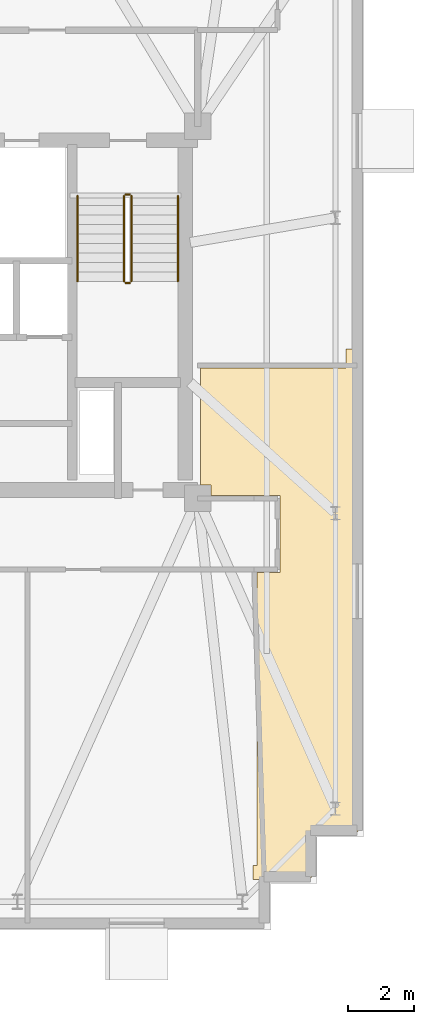
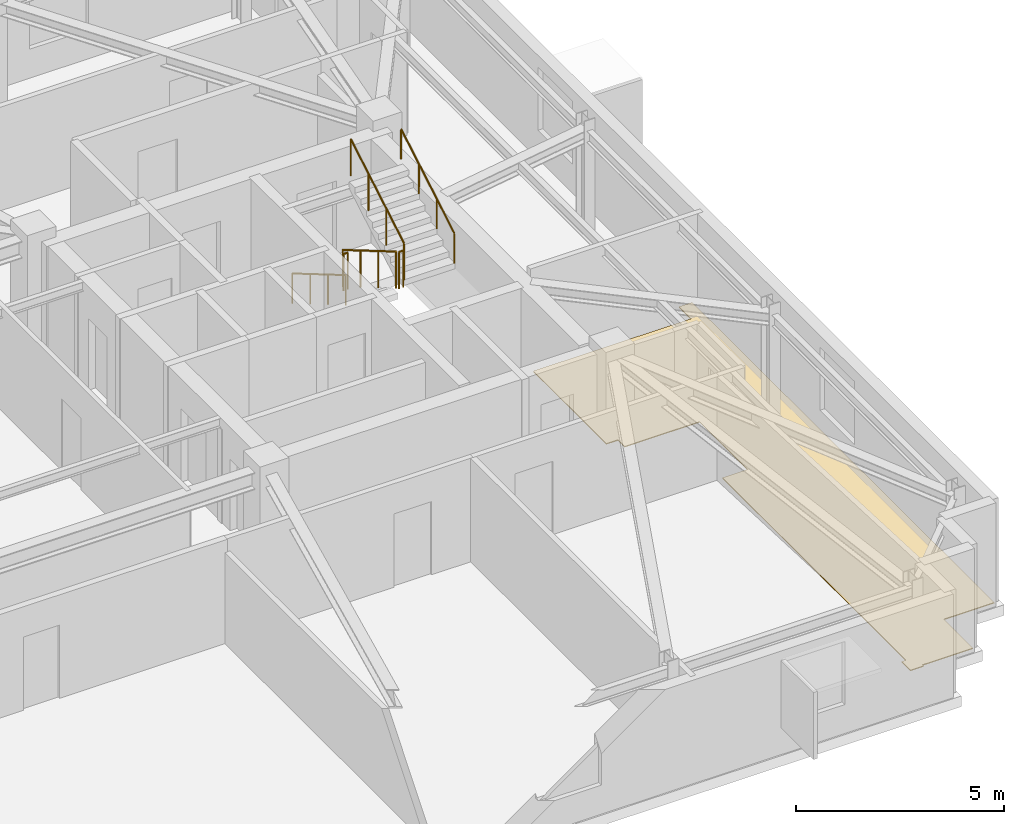
# One storey, part 10 of 10: 6 railings, 1 covering.
"""IFC4 building model written with IfcOpenShell, lengths in metres."""

from ifc_helpers import new_model, si_unit, direction, frame, origin, origin_2d, place, context, subcontext, project, spatial, polyline, circle, outline, extrude, material, layer, layer_set, type_object, element, save


model = new_model("IFC4")

# Units and contexts
model_context = context("Model", 3, precision=1e-05, world=origin(), true_north=direction((0.0, 1.0)))
body_context = subcontext(model_context, "Body", "Model", "MODEL_VIEW")
ifc_project = project(units=[si_unit("LENGTHUNIT", "METRE"), si_unit("AREAUNIT", "SQUARE_METRE"), si_unit("VOLUMEUNIT", "CUBIC_METRE"), si_unit("PLANEANGLEUNIT", "RADIAN"), si_unit("MASSUNIT", "GRAM", prefix="KILO")], contexts=[model_context])

# Site, building, storey
site_placement = place(None, origin())
site = spatial("IfcSite", under=ifc_project, at=site_placement, CompositionType="ELEMENT")
building_placement = place(site_placement, origin())
building = spatial("IfcBuilding", under=site, at=building_placement, Name="Qobustan Lattice House", CompositionType="ELEMENT")
storey_placement = place(building_placement, frame((0.0, 0.0, 235.0)))
storey = spatial("IfcBuildingStorey", under=building, at=storey_placement, Name="L66", CompositionType="ELEMENT", Elevation=235.0)

# Covering
ifc_material_1 = material(Name="Honed Absheron stone terrazzo flooring", Category="masonry")
ifc_layer = layer(ifc_material_1, 0.02490234375)
ifc_layer_set = layer_set([ifc_layer], Name="Honed Absheron stone terrazzo flooring")
covering_type = type_object("IfcCoveringType", Name="COV-TERRAZZO-FLR", PredefinedType="FLOORING", material=ifc_layer_set)
covering_placement = place(storey_placement, origin())
element("IfcCovering", 1, at=covering_placement, inside=storey, type_object=covering_type, Name="L66 Fellows reading room stone terrazzo flooring", PredefinedType="FLOORING", context=body_context, shape_type="SweptSolid", body=[
    extrude(outline(polyline([(22.22998046875, -15.6298828125), (23.6298828125, -15.6298828125), (23.6298828125, -1.10009765625), (23.260009765625, -1.10009765625), (23.260009765625, -1.679931640625), (18.8798828125, -1.679931640625), (18.8798828125, -5.197998046875), (19.201904296875, -5.197998046875), (19.201904296875, -5.52001953125), (21.280029296875, -5.52001953125), (21.280029296875, -7.830078125), (20.580078125, -7.830078125), (20.580078125, -16.659912109375), (20.4599609375, -16.659912109375), (20.4599609375, -17.080078125), (20.830078125, -17.080078125), (20.830078125, -17.030029296875), (22.22998046875, -17.030029296875), (22.22998046875, -15.6298828125)])), origin(), (0.0, 0.0, 1.0), 0.02490234375),
])

# Railings
ifc_material_2 = material(Name="Brushed stainless steel handrail", Category="steel")
railing_type_1 = type_object("IfcRailingType", Name="RAL-HR-920", PredefinedType="HANDRAIL", material=ifc_material_2)
railing_1_placement = place(storey_placement, frame((15.179931640625, 3.5, 0.16748046875)))
element("IfcRailing", 2, at=railing_1_placement, inside=storey, type_object=railing_type_1, Name="L66 ST-E1 stair handrail 1", PredefinedType="HANDRAIL", context=body_context, shape_type="SweptSolid", body=[
    extrude(circle(Radius=0.02392578125, at=origin_2d()), frame((0.0, 0.0, 0.8759765625), z_axis=(0.0, -0.862113467892, 0.50671527358), x_axis=(1.0, 0.0, 0.0)), (0.0, 0.0, 1.0), 2.97509765625),
    extrude(circle(Radius=0.02099609375, at=origin_2d()), origin(), (0.0, 0.0, 1.0), 0.851806640625),
    extrude(circle(Radius=0.02099609375, at=origin_2d()), frame((0.0, -0.85498046875, 0.50244140625)), (0.0, 0.0, 1.0), 0.851806640625),
    extrude(circle(Radius=0.02099609375, at=origin_2d()), frame((0.0, -1.7099609375, 1.005126953125)), (0.0, 0.0, 1.0), 0.851806640625),
    extrude(circle(Radius=0.02099609375, at=origin_2d()), frame((0.0, -2.56494140625, 1.507568359375)), (0.0, 0.0, 1.0), 0.851806640625),
])
railing_2_placement = place(storey_placement, frame((18.199951171875, 0.93505859375, 1.842529296875)))
element("IfcRailing", 3, at=railing_2_placement, inside=storey, type_object=railing_type_1, Name="L66 ST-E1 stair handrail 2", PredefinedType="HANDRAIL", context=body_context, shape_type="SweptSolid", body=[
    extrude(circle(Radius=0.02392578125, at=origin_2d()), frame((0.0, 0.0, 0.8759765625), z_axis=(0.0, 0.862113467892, 0.50671527358), x_axis=(-1.0, 0.0, 0.0)), (0.0, 0.0, 1.0), 2.97509765625),
    extrude(circle(Radius=0.02099609375, at=origin_2d()), origin(), (0.0, 0.0, 1.0), 0.851806640625),
    extrude(circle(Radius=0.02099609375, at=origin_2d()), frame((0.0, 0.85498046875, 0.50244140625)), (0.0, 0.0, 1.0), 0.851806640625),
    extrude(circle(Radius=0.02099609375, at=origin_2d()), frame((0.0, 1.7099609375, 1.005126953125)), (0.0, 0.0, 1.0), 0.851806640625),
    extrude(circle(Radius=0.02099609375, at=origin_2d()), frame((0.0, 2.56494140625, 1.507568359375)), (0.0, 0.0, 1.0), 0.851806640625),
])
ifc_material_3 = material(Name="Painted galvanized steel guardrail", Category="steel")
railing_type_2 = type_object("IfcRailingType", Name="RAL-STG-1150", PredefinedType="GUARDRAIL", material=ifc_material_3)
railing_3_placement = place(storey_placement, frame((16.580078125, 3.5, 0.16748046875)))
element("IfcRailing", 4, at=railing_3_placement, inside=storey, type_object=railing_type_2, Name="L66 ST-E1 stair guard 1", PredefinedType="GUARDRAIL", context=body_context, shape_type="SweptSolid", body=[
    extrude(circle(Radius=0.02392578125, at=origin_2d()), frame((0.0, 0.0, 1.076171875), z_axis=(0.0, -0.862113467892, 0.50671527358), x_axis=(1.0, 0.0, 0.0)), (0.0, 0.0, 1.0), 2.97509765625),
    extrude(circle(Radius=0.02099609375, at=origin_2d()), origin(), (0.0, 0.0, 1.0), 1.052001953125),
    extrude(circle(Radius=0.02099609375, at=origin_2d()), frame((0.0, -0.85498046875, 0.50244140625)), (0.0, 0.0, 1.0), 1.052001953125),
    extrude(circle(Radius=0.02099609375, at=origin_2d()), frame((0.0, -1.7099609375, 1.005126953125)), (0.0, 0.0, 1.0), 1.052001953125),
    extrude(circle(Radius=0.02099609375, at=origin_2d()), frame((0.0, -2.56494140625, 1.507568359375)), (0.0, 0.0, 1.0), 1.052001953125),
])
railing_4_placement = place(storey_placement, frame((16.6298828125, 0.885009765625, 1.675048828125)))
element("IfcRailing", 5, at=railing_4_placement, inside=storey, type_object=railing_type_2, Name="L66 ST-E1 stair guard 2", PredefinedType="GUARDRAIL", context=body_context, shape_type="SweptSolid", body=[
    extrude(circle(Radius=0.02392578125, at=origin_2d()), frame((0.0, 0.0, 1.076171875), z_axis=(1.0, 0.0, 0.0), x_axis=(0.0, 1.0, 0.0)), (0.0, 0.0, 1.0), 0.1201171875),
    extrude(circle(Radius=0.02099609375, at=origin_2d()), origin(), (0.0, 0.0, 1.0), 1.052001953125),
    extrude(circle(Radius=0.02099609375, at=origin_2d()), frame((0.1201171875, 0.0, 0.0)), (0.0, 0.0, 1.0), 1.052001953125),
])
railing_5_placement = place(storey_placement, frame((16.800048828125, 0.93505859375, 1.842529296875)))
element("IfcRailing", 6, at=railing_5_placement, inside=storey, type_object=railing_type_2, Name="L66 ST-E1 stair guard 3", PredefinedType="GUARDRAIL", context=body_context, shape_type="SweptSolid", body=[
    extrude(circle(Radius=0.02392578125, at=origin_2d()), frame((0.0, 0.0, 1.076171875), z_axis=(0.0, 0.862113467892, 0.50671527358), x_axis=(-1.0, 0.0, 0.0)), (0.0, 0.0, 1.0), 2.97509765625),
    extrude(circle(Radius=0.02099609375, at=origin_2d()), origin(), (0.0, 0.0, 1.0), 1.052001953125),
    extrude(circle(Radius=0.02099609375, at=origin_2d()), frame((0.0, 0.85498046875, 0.50244140625)), (0.0, 0.0, 1.0), 1.052001953125),
    extrude(circle(Radius=0.02099609375, at=origin_2d()), frame((0.0, 1.7099609375, 1.005126953125)), (0.0, 0.0, 1.0), 1.052001953125),
    extrude(circle(Radius=0.02099609375, at=origin_2d()), frame((0.0, 2.56494140625, 1.507568359375)), (0.0, 0.0, 1.0), 1.052001953125),
])
railing_6_placement = place(storey_placement, frame((16.6298828125, 3.550048828125, 0.0)))
element("IfcRailing", 7, at=railing_6_placement, inside=storey, type_object=railing_type_2, Name="L66 ST-E1 stair guard 4", PredefinedType="GUARDRAIL", context=body_context, shape_type="SweptSolid", body=[
    extrude(circle(Radius=0.02392578125, at=origin_2d()), frame((0.0, 0.0, 1.076171875), z_axis=(1.0, 0.0, 0.0), x_axis=(0.0, 1.0, 0.0)), (0.0, 0.0, 1.0), 0.1201171875),
    extrude(circle(Radius=0.02099609375, at=origin_2d()), origin(), (0.0, 0.0, 1.0), 1.052001953125),
    extrude(circle(Radius=0.02099609375, at=origin_2d()), frame((0.1201171875, 0.0, 0.0)), (0.0, 0.0, 1.0), 1.052001953125),
])

save(model, "model.ifc")
